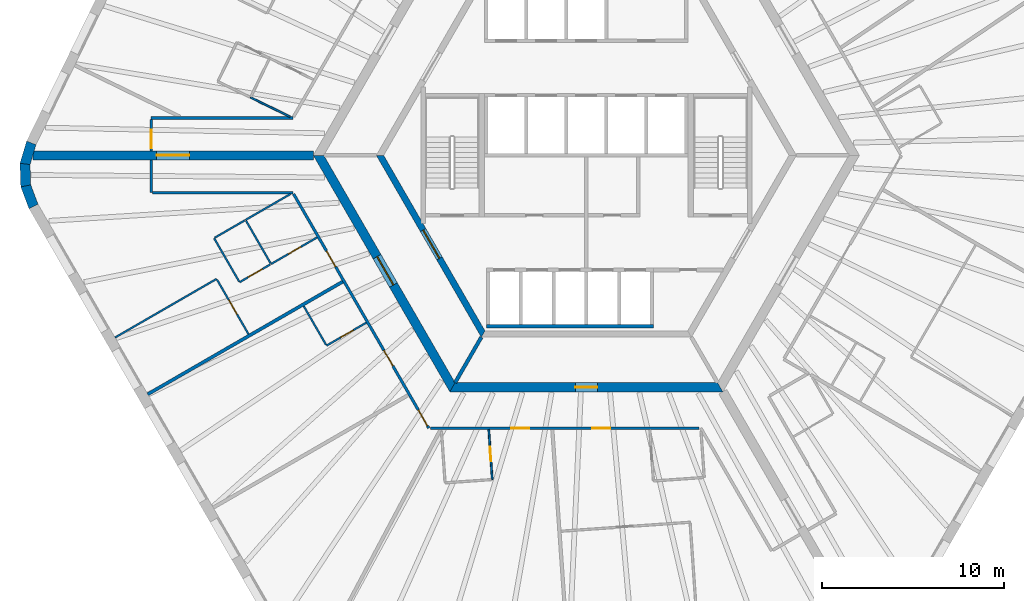
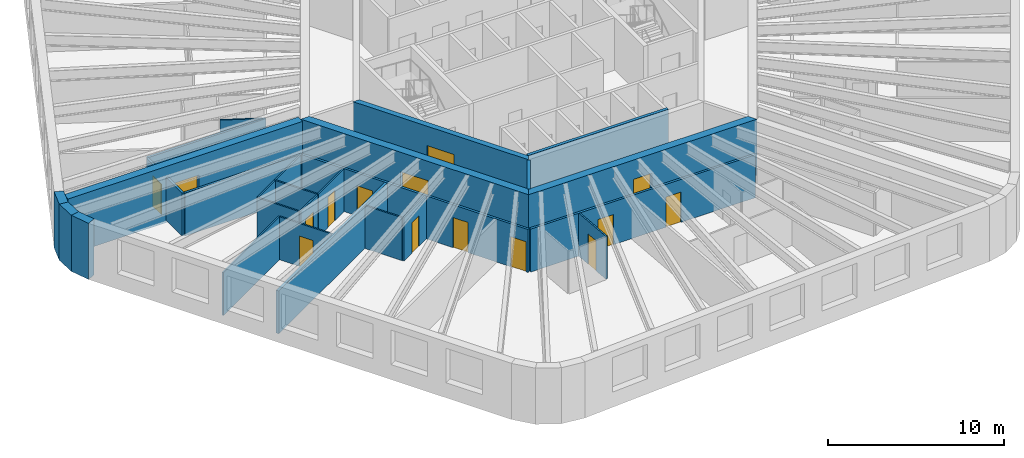
# One storey, part 3 of 10: 28 walls, 15 doors, 15 openings.
"""IFC4 building model written with IfcOpenShell, lengths in metres."""

from ifc_helpers import new_model, si_unit, direction, frame, frame_2d, origin, place, context, subcontext, project, spatial, polyline, rectangle, outline, extrude, material, layer, layer_set, type_object, element, fill, save


model = new_model("IFC4")

# Units and contexts
model_context = context("Model", 3, precision=1e-05, world=origin(), true_north=direction((0.0, 1.0)))
body_context = subcontext(model_context, "Body", "Model", "MODEL_VIEW")
ifc_project = project(units=[si_unit("LENGTHUNIT", "METRE"), si_unit("AREAUNIT", "SQUARE_METRE"), si_unit("VOLUMEUNIT", "CUBIC_METRE"), si_unit("PLANEANGLEUNIT", "RADIAN"), si_unit("MASSUNIT", "GRAM", prefix="KILO")], contexts=[model_context])

# Site, building, storey
site_placement = place(None, origin())
site = spatial("IfcSite", under=ifc_project, at=site_placement, CompositionType="ELEMENT")
building_placement = place(site_placement, origin())
building = spatial("IfcBuilding", under=site, at=building_placement, Name="Tarnside Tower", CompositionType="ELEMENT")
storey_placement = place(building_placement, frame((0.0, 0.0, 168.300048828125)))
storey = spatial("IfcBuildingStorey", under=building, at=storey_placement, Name="L39", CompositionType="ELEMENT", Elevation=168.300048828125)

# Walls
ifc_material_1 = material(Name="Gypsum board partition on steel studs", Category="steel")
ifc_layer_1 = layer(ifc_material_1, 0.10009765625)
ifc_layer_set_1 = layer_set([ifc_layer_1], Name="Bathroom wall 100")
wall_type_1 = type_object("IfcWallType", Name="Bathroom wall 100", PredefinedType="PARTITIONING", material=ifc_layer_set_1)
wall_1_placement = place(storey_placement, frame((-16.290771484375, 2.125, 0.0), z_axis=(0.0, 0.0, 1.0), x_axis=(-0.898785911157, 0.438387825909, 0.0)))
element("IfcWall", 1, at=wall_1_placement, inside=storey, type_object=wall_type_1, Name="Bathroom wall 12052", PredefinedType="PARTITIONING", context=body_context, shape_type="SweptSolid", body=[
    extrude(rectangle(XDim=2.41796875, YDim=0.10009765625, at=frame_2d((1.208984375, 0.0))), origin(), (0.0, 0.0, 1.0), 2.98779296875),
])
wall_2_placement = place(storey_placement, frame((-18.735107421875, -3.550048828125, 0.0), z_axis=(0.0, 0.0, 1.0), x_axis=(0.866025820012, 0.499999279071, 0.0)))
element("IfcWall", 2, at=wall_2_placement, inside=storey, type_object=wall_type_1, Name="Bathroom wall 12061", PredefinedType="PARTITIONING", context=body_context, shape_type="SweptSolid", body=[
    extrude(rectangle(XDim=2.85009765625, YDim=0.10009765625, at=frame_2d((1.425048828125, 0.0))), origin(), (0.0, 0.0, 1.0), 2.98779296875),
])

# Wall, opening, door
wall_3_placement = place(storey_placement, frame((-14.802001953125, -4.512451171875, 0.0), z_axis=(0.0, 0.0, 1.0), x_axis=(-0.866025730634, -0.499999433879, 0.0)))
wall_3 = element("IfcWall", 3, at=wall_3_placement, inside=storey, type_object=wall_type_1, Name="Bathroom wall 12062", PredefinedType="PARTITIONING", context=body_context, shape_type="SweptSolid", body=[
    extrude(rectangle(XDim=2.9248046875, YDim=0.10009765625, at=frame_2d((1.46240234375, 0.0))), origin(), (0.0, 0.0, 1.0), 2.98779296875),
])
opening_1_placement = place(wall_3_placement, frame((1.02490234375, 0.0, 0.0)))
opening_1 = element("IfcOpeningElement", 4, at=opening_1_placement, cuts=wall_3, Name="Opening D-B1", PredefinedType="OPENING", context=body_context, shape_type="SweptSolid", body=[
    extrude(rectangle(XDim=0.800048828125, YDim=2.10009765625, at=frame_2d((0.39990234375, 1.050048828125))), frame((0.0, 0.06005859375, 0.0), z_axis=(0.0, -1.0, 0.0), x_axis=(1.0, 0.0, 0.0)), (0.0, 0.0, 1.0), 0.1201171875),
])
ifc_material_2 = material(Name="Timber door leaf", Category="wood")
door_type_1 = type_object("IfcDoorType", Name="Bathroom door 800", OperationType="NOTDEFINED", PredefinedType="DOOR", material=ifc_material_2)
door_1_placement = place(opening_1_placement, origin())
door_1 = element("IfcDoor", 5, at=door_1_placement, inside=storey, type_object=door_type_1, Name="Bathroom door 12011", OperationType="SINGLE_SWING_RIGHT", OverallHeight=2.10009765625, OverallWidth=0.800048828125, PredefinedType="DOOR", context=body_context, shape_type="SweptSolid", body=[
    extrude(rectangle(XDim=0.800048828125, YDim=2.10009765625, at=frame_2d((0.39990234375, 1.050048828125))), frame((0.0, 0.02490234375, 0.0), z_axis=(0.0, -1.0, 0.0), x_axis=(1.0, 0.0, 0.0)), (0.0, 0.0, 1.0), 0.050048828125),
])
fill(opening_1, door_1)

# Wall
wall_4_placement = place(storey_placement, frame((-18.7099609375, -3.59326171875, 0.0), z_axis=(0.0, 0.0, 1.0), x_axis=(0.4999416173, -0.866059108428, 0.0)))
element("IfcWall", 6, at=wall_4_placement, inside=storey, type_object=wall_type_1, Name="Bathroom wall 12070", PredefinedType="PARTITIONING", context=body_context, shape_type="SweptSolid", body=[
    extrude(rectangle(XDim=2.699951171875, YDim=0.10009765625, at=frame_2d((1.35009765625, 0.0))), origin(), (0.0, 0.0, 1.0), 2.98779296875),
])

# Wall, opening, door
wall_5_placement = place(storey_placement, frame((-12.096435546875, -9.198486328125, 0.0), z_axis=(0.0, 0.0, 1.0), x_axis=(-0.866039067339, -0.499976333282, 0.0)))
wall_5 = element("IfcWall", 7, at=wall_5_placement, inside=storey, type_object=wall_type_1, Name="Bathroom wall 12072", PredefinedType="PARTITIONING", context=body_context, shape_type="SweptSolid", body=[
    extrude(rectangle(XDim=2.52490234375, YDim=0.10009765625, at=frame_2d((1.262451171875, 0.0))), origin(), (0.0, 0.0, 1.0), 2.98779296875),
])
opening_2_placement = place(wall_5_placement, frame((0.824951171875, 0.0, 0.0)))
opening_2 = element("IfcOpeningElement", 8, at=opening_2_placement, cuts=wall_5, Name="Opening D-B1", PredefinedType="OPENING", context=body_context, shape_type="SweptSolid", body=[
    extrude(rectangle(XDim=0.800048828125, YDim=2.10009765625, at=frame_2d((0.39990234375, 1.050048828125))), frame((0.0, 0.06005859375, 0.0), z_axis=(0.0, -1.0, 0.0), x_axis=(1.0, 0.0, 0.0)), (0.0, 0.0, 1.0), 0.1201171875),
])
door_2_placement = place(opening_2_placement, origin())
door_2 = element("IfcDoor", 9, at=door_2_placement, inside=storey, type_object=door_type_1, Name="Bathroom door 12015", OperationType="SINGLE_SWING_RIGHT", OverallHeight=2.10009765625, OverallWidth=0.800048828125, PredefinedType="DOOR", context=body_context, shape_type="SweptSolid", body=[
    extrude(rectangle(XDim=0.800048828125, YDim=2.10009765625, at=frame_2d((0.39990234375, 1.050048828125))), frame((0.0, 0.02490234375, 0.0), z_axis=(0.0, -1.0, 0.0), x_axis=(1.0, 0.0, 0.0)), (0.0, 0.0, 1.0), 0.050048828125),
])
fill(opening_2, door_2)

# Wall
wall_6_placement = place(storey_placement, frame((-14.30810546875, -10.417724609375, 0.0), z_axis=(0.0, 0.0, 1.0), x_axis=(-0.499960120811, 0.86604842682, 0.0)))
element("IfcWall", 10, at=wall_6_placement, inside=storey, type_object=wall_type_1, Name="Bathroom wall 12073", PredefinedType="PARTITIONING", context=body_context, shape_type="SweptSolid", body=[
    extrude(rectangle(XDim=2.460205078125, YDim=0.10009765625, at=frame_2d((1.22998046875, 0.0))), origin(), (0.0, 0.0, 1.0), 2.98779296875),
])

# Wall, opening, door
wall_7_placement = place(storey_placement, frame((-5.364013671875, -15.074951171875, 0.0), z_axis=(0.0, 0.0, 1.0), x_axis=(0.06972333312, -0.997566367125, 0.0)))
wall_7 = element("IfcWall", 11, at=wall_7_placement, inside=storey, type_object=wall_type_1, Name="Bathroom wall 12076", PredefinedType="PARTITIONING", context=body_context, shape_type="SweptSolid", body=[
    extrude(rectangle(XDim=2.755615234375, YDim=0.10009765625, at=frame_2d((1.3779296875, 0.0))), origin(), (0.0, 0.0, 1.0), 2.98779296875),
])
opening_3_placement = place(wall_7_placement, frame((0.955810546875, 0.0, 0.0)))
opening_3 = element("IfcOpeningElement", 12, at=opening_3_placement, cuts=wall_7, Name="Opening D-B1", PredefinedType="OPENING", context=body_context, shape_type="SweptSolid", body=[
    extrude(rectangle(XDim=0.800048828125, YDim=2.10009765625, at=frame_2d((0.39990234375, 1.050048828125))), frame((0.0, 0.06005859375, 0.0), z_axis=(0.0, -1.0, 0.0), x_axis=(1.0, 0.0, 0.0)), (0.0, 0.0, 1.0), 0.1201171875),
])
door_3_placement = place(opening_3_placement, origin())
door_3 = element("IfcDoor", 13, at=door_3_placement, inside=storey, type_object=door_type_1, Name="Bathroom door 12018", OperationType="SINGLE_SWING_LEFT", OverallHeight=2.10009765625, OverallWidth=0.800048828125, PredefinedType="DOOR", context=body_context, shape_type="SweptSolid", body=[
    extrude(rectangle(XDim=0.800048828125, YDim=2.10009765625, at=frame_2d((0.39990234375, 1.050048828125))), frame((0.0, 0.02490234375, 0.0), z_axis=(0.0, -1.0, 0.0), x_axis=(1.0, 0.0, 0.0)), (0.0, 0.0, 1.0), 0.050048828125),
])
fill(opening_3, door_3)

ifc_material_3 = material(Name="Concrete C50/60", Category="concrete")
ifc_layer_2 = layer(ifc_material_3, 0.35009765625)
ifc_layer_set_2 = layer_set([ifc_layer_2], Name="Core block wall 350 C50/60")
wall_type_2 = type_object("IfcWallType", Name="Core block wall 350 C50/60", PredefinedType="SHEAR", material=ifc_layer_set_2)
wall_8_placement = place(storey_placement, frame((-11.344970703125, 0.0, -0.150146484375), z_axis=(0.0, 0.0, 1.0), x_axis=(0.499995046907, -0.866028263435, 0.0)))
wall_8 = element("IfcWall", 14, at=wall_8_placement, inside=storey, type_object=wall_type_2, Name="L39 core block wall face 3", PredefinedType="SHEAR", context=body_context, shape_type="SweptSolid", body=[
    extrude(outline(polyline([(-0.10107421875, -0.175048828125), (11.44580078125, -0.175048828125), (11.24365234375, 0.175048828125), (0.10107421875, 0.175048828125), (-0.10107421875, -0.175048828125)])), origin(), (0.0, 0.0, 1.0), 3.900146484375),
])
opening_4_placement = place(wall_8_placement, frame((4.74365234375, 0.0, 0.14990234375)))
opening_4 = element("IfcOpeningElement", 15, at=opening_4_placement, cuts=wall_8, Name="Opening CD-FFL", PredefinedType="OPENING", context=body_context, shape_type="SweptSolid", body=[
    extrude(rectangle(XDim=1.800048828125, YDim=2.39990234375, at=frame_2d((0.89990234375, 1.199951171875))), frame((0.0, 0.18505859375, 0.0), z_axis=(0.0, -1.0, 0.0), x_axis=(1.0, 0.0, 0.0)), (0.0, 0.0, 1.0), 0.3701171875),
])
ifc_material_4 = material(Name="Steel fire door", Category="steel")
door_type_2 = type_object("IfcDoorType", Name="Firefighting lobby double door FD60S 1800x2400", OperationType="NOTDEFINED", PredefinedType="DOOR", material=ifc_material_4)
door_4_placement = place(opening_4_placement, origin())
door_4 = element("IfcDoor", 16, at=door_4_placement, inside=storey, type_object=door_type_2, Name="L39 lobby block door P3", OperationType="DOUBLE_DOOR_SINGLE_SWING", OverallHeight=2.39990234375, OverallWidth=1.800048828125, PredefinedType="DOOR", context=body_context, shape_type="SweptSolid", body=[
    extrude(rectangle(XDim=1.800048828125, YDim=2.39990234375, at=frame_2d((0.89990234375, 1.199951171875))), frame((0.0, 0.02490234375, 0.0), z_axis=(0.0, -1.0, 0.0), x_axis=(1.0, 0.0, 0.0)), (0.0, 0.0, 1.0), 0.050048828125),
])
fill(opening_4, door_4)

ifc_material_5 = material(Name="Concrete C70/85", Category="concrete")
ifc_layer_3 = layer(ifc_material_5, 0.5)
ifc_layer_set_3 = layer_set([ifc_layer_3], Name="Core wall Z2 500 C70/85")
wall_type_3 = type_object("IfcWallType", Name="Core wall Z2 500 C70/85", PredefinedType="SHEAR", material=ifc_layer_set_3)
wall_9_placement = place(storey_placement, frame((-14.722412109375, 0.0, -0.150146484375), z_axis=(0.0, 0.0, 1.0), x_axis=(0.50000571537, -0.866022103989, 0.0)))
wall_9 = element("IfcWall", 17, at=wall_9_placement, inside=storey, type_object=wall_type_3, Name="L39 core wall face 3", PredefinedType="SHEAR", context=body_context, shape_type="SweptSolid", body=[
    extrude(outline(polyline([(-0.144287109375, -0.25), (14.86669921875, -0.25), (14.578125, 0.25), (0.144287109375, 0.25), (-0.144287109375, -0.25)])), origin(), (0.0, 0.0, 1.0), 3.900146484375),
])
opening_5_placement = place(wall_9_placement, frame((6.432373046875, 0.0, 0.14990234375)))
opening_5 = element("IfcOpeningElement", 18, at=opening_5_placement, cuts=wall_9, Name="Opening CD-FFL", PredefinedType="OPENING", context=body_context, shape_type="SweptSolid", body=[
    extrude(rectangle(XDim=1.800048828125, YDim=2.39990234375, at=frame_2d((0.89990234375, 1.199951171875))), frame((0.0, 0.260009765625, 0.0), z_axis=(0.0, -1.0, 0.0), x_axis=(1.0, 0.0, 0.0)), (0.0, 0.0, 1.0), 0.52001953125),
])
door_5_placement = place(opening_5_placement, origin())
door_5 = element("IfcDoor", 19, at=door_5_placement, inside=storey, type_object=door_type_2, Name="L39 core door P3", OperationType="DOUBLE_DOOR_SINGLE_SWING", OverallHeight=2.39990234375, OverallWidth=1.800048828125, PredefinedType="DOOR", context=body_context, shape_type="SweptSolid", body=[
    extrude(rectangle(XDim=1.800048828125, YDim=2.39990234375, at=frame_2d((0.89990234375, 1.199951171875))), frame((0.0, 0.02490234375, 0.0), z_axis=(0.0, -1.0, 0.0), x_axis=(1.0, 0.0, 0.0)), (0.0, 0.0, 1.0), 0.050048828125),
])
fill(opening_5, door_5)

wall_10_placement = place(storey_placement, frame((-7.361083984375, -12.75, -0.150146484375), z_axis=(0.0, 0.0, 1.0), x_axis=(1.0, 0.0, 0.0)))
wall_10 = element("IfcWall", 20, at=wall_10_placement, inside=storey, type_object=wall_type_3, Name="L39 core wall face 4", PredefinedType="SHEAR", context=body_context, shape_type="SweptSolid", body=[
    extrude(outline(polyline([(-0.144287109375, -0.25), (14.866455078125, -0.25), (14.577880859375, 0.25), (0.144287109375, 0.25), (-0.144287109375, -0.25)])), origin(), (0.0, 0.0, 1.0), 3.900146484375),
])
opening_6_placement = place(wall_10_placement, frame((6.76123046875, 0.0, 0.14990234375)))
opening_6 = element("IfcOpeningElement", 21, at=opening_6_placement, cuts=wall_10, Name="Opening CD-RSR", PredefinedType="OPENING", context=body_context, shape_type="SweptSolid", body=[
    extrude(rectangle(XDim=1.199951171875, YDim=2.39990234375, at=frame_2d((0.60009765625, 1.199951171875))), frame((0.0, 0.260009765625, 0.0), z_axis=(0.0, -1.0, 0.0), x_axis=(1.0, 0.0, 0.0)), (0.0, 0.0, 1.0), 0.52001953125),
])
door_type_3 = type_object("IfcDoorType", Name="Riser door FD60 1200x2400", OperationType="NOTDEFINED", PredefinedType="DOOR", material=ifc_material_4)
door_6_placement = place(opening_6_placement, origin())
door_6 = element("IfcDoor", 22, at=door_6_placement, inside=storey, type_object=door_type_3, Name="L39 core door S6", OperationType="SINGLE_SWING_LEFT", OverallHeight=2.39990234375, OverallWidth=1.199951171875, PredefinedType="DOOR", context=body_context, shape_type="SweptSolid", body=[
    extrude(rectangle(XDim=1.199951171875, YDim=2.39990234375, at=frame_2d((0.60009765625, 1.199951171875))), frame((0.0, 0.02490234375, 0.0), z_axis=(0.0, -1.0, 0.0), x_axis=(1.0, 0.0, 0.0)), (0.0, 0.0, 1.0), 0.050048828125),
])
fill(opening_6, door_6)

wall_11_placement = place(storey_placement, frame((-15.010986328125, 0.0, -0.150146484375), z_axis=(0.0, 0.0, 1.0), x_axis=(-1.0, 0.0, 0.0)))
wall_11 = element("IfcWall", 23, at=wall_11_placement, inside=storey, type_object=wall_type_3, Name="L39 spine wall 2", PredefinedType="SHEAR", context=body_context, shape_type="SweptSolid", body=[
    extrude(rectangle(XDim=15.423828125, YDim=0.5, at=frame_2d((7.7119140625, 0.0))), origin(), (0.0, 0.0, 1.0), 3.900146484375),
])
opening_7_placement = place(wall_11_placement, frame((6.811767578125, 0.0, 0.14990234375)))
opening_7 = element("IfcOpeningElement", 24, at=opening_7_placement, cuts=wall_11, Name="Opening CD-SPN", PredefinedType="OPENING", context=body_context, shape_type="SweptSolid", body=[
    extrude(rectangle(XDim=1.800048828125, YDim=2.39990234375, at=frame_2d((0.89990234375, 1.199951171875))), frame((0.0, 0.260009765625, 0.0), z_axis=(0.0, -1.0, 0.0), x_axis=(1.0, 0.0, 0.0)), (0.0, 0.0, 1.0), 0.52001953125),
])
door_type_4 = type_object("IfcDoorType", Name="Spine passage double door FD60 1800x2400", OperationType="NOTDEFINED", PredefinedType="DOOR", material=ifc_material_4)
door_7_placement = place(opening_7_placement, origin())
door_7 = element("IfcDoor", 25, at=door_7_placement, inside=storey, type_object=door_type_4, Name="L39 spine passage door 2", OperationType="DOUBLE_DOOR_SINGLE_SWING", OverallHeight=2.39990234375, OverallWidth=1.800048828125, PredefinedType="DOOR", context=body_context, shape_type="SweptSolid", body=[
    extrude(rectangle(XDim=1.800048828125, YDim=2.39990234375, at=frame_2d((0.89990234375, 1.199951171875))), frame((0.0, 0.02490234375, 0.0), z_axis=(0.0, -1.0, 0.0), x_axis=(1.0, 0.0, 0.0)), (0.0, 0.0, 1.0), 0.050048828125),
])
fill(opening_7, door_7)

# Wall
ifc_layer_4 = layer(ifc_material_1, 0.14990234375)
ifc_layer_set_4 = layer_set([ifc_layer_4], Name="Corridor wall 150 EI 60")
wall_type_4 = type_object("IfcWallType", Name="Corridor wall 150 EI 60", PredefinedType="PARTITIONING", material=ifc_layer_set_4)
wall_12_placement = place(storey_placement, frame((-16.136962890625, 2.050048828125, 0.0), z_axis=(0.0, 0.0, 1.0), x_axis=(-1.0, 0.0, 0.0)))
element("IfcWall", 26, at=wall_12_placement, inside=storey, type_object=wall_type_4, Name="Corridor wall 12009", PredefinedType="PARTITIONING", context=body_context, shape_type="SweptSolid", body=[
    extrude(rectangle(XDim=7.785888671875, YDim=0.14990234375, at=frame_2d((3.89306640625, 0.0))), origin(), (0.0, 0.0, 1.0), 2.98779296875),
])

# Wall, opening, door
wall_13_placement = place(storey_placement, frame((-23.9228515625, 1.97509765625, 0.0), z_axis=(0.0, 0.0, 1.0), x_axis=(0.0, -1.0, 0.0)))
wall_13 = element("IfcWall", 27, at=wall_13_placement, inside=storey, type_object=wall_type_4, Name="Corridor wall 12013", PredefinedType="PARTITIONING", context=body_context, shape_type="SweptSolid", body=[
    extrude(rectangle(XDim=1.72509765625, YDim=0.14990234375, at=frame_2d((0.862548828125, 0.0))), origin(), (0.0, 0.0, 1.0), 2.98779296875),
])
opening_8_placement = place(wall_13_placement, frame((0.574951171875, 0.0, 0.0)))
opening_8 = element("IfcOpeningElement", 28, at=opening_8_placement, cuts=wall_13, Name="Opening D-E1", PredefinedType="OPENING", context=body_context, shape_type="SweptSolid", body=[
    extrude(rectangle(XDim=1.0, YDim=2.10009765625, at=frame_2d((0.5, 1.050048828125))), frame((0.0, 0.0849609375, 0.0), z_axis=(0.0, -1.0, 0.0), x_axis=(1.0, 0.0, 0.0)), (0.0, 0.0, 1.0), 0.169921875),
])
door_type_5 = type_object("IfcDoorType", Name="Unit entrance door 1000 FD30S", OperationType="NOTDEFINED", PredefinedType="DOOR", material=ifc_material_2)
door_8_placement = place(opening_8_placement, origin())
door_8 = element("IfcDoor", 29, at=door_8_placement, inside=storey, type_object=door_type_5, Name="Unit door 12009", OperationType="SINGLE_SWING_LEFT", OverallHeight=2.10009765625, OverallWidth=1.0, PredefinedType="DOOR", context=body_context, shape_type="SweptSolid", body=[
    extrude(rectangle(XDim=1.0, YDim=2.10009765625, at=frame_2d((0.5, 1.050048828125))), frame((0.0, 0.02490234375, 0.0), z_axis=(0.0, -1.0, 0.0), x_axis=(1.0, 0.0, 0.0)), (0.0, 0.0, 1.0), 0.050048828125),
])
fill(opening_8, door_8)

# Walls
wall_14_placement = place(storey_placement, frame((-23.9228515625, -0.25, 0.0), z_axis=(0.0, 0.0, 1.0), x_axis=(0.0, -1.0, 0.0)))
element("IfcWall", 30, at=wall_14_placement, inside=storey, type_object=wall_type_4, Name="Corridor wall 12014", PredefinedType="PARTITIONING", context=body_context, shape_type="SweptSolid", body=[
    extrude(rectangle(XDim=1.800048828125, YDim=0.14990234375, at=frame_2d((0.89990234375, 0.0))), origin(), (0.0, 0.0, 1.0), 2.98779296875),
])
wall_15_placement = place(storey_placement, frame((-23.847900390625, -2.050048828125, 0.0), z_axis=(0.0, 0.0, 1.0), x_axis=(1.0, 0.0, 0.0)))
element("IfcWall", 31, at=wall_15_placement, inside=storey, type_object=wall_type_4, Name="Corridor wall 12015", PredefinedType="PARTITIONING", context=body_context, shape_type="SweptSolid", body=[
    extrude(rectangle(XDim=7.7109375, YDim=0.14990234375, at=frame_2d((3.85546875, 0.0))), origin(), (0.0, 0.0, 1.0), 2.98779296875),
])

# Wall, openings, doors
wall_16_placement = place(storey_placement, frame((-16.09375, -2.125, 0.0), z_axis=(0.0, 0.0, 1.0), x_axis=(0.500010545262, -0.866019315389, 0.0)))
wall_16 = element("IfcWall", 32, at=wall_16_placement, inside=storey, type_object=wall_type_4, Name="Corridor wall 12016", PredefinedType="PARTITIONING", context=body_context, shape_type="SweptSolid", body=[
    extrude(rectangle(XDim=14.866943359375, YDim=0.14990234375, at=frame_2d((7.43359375, 0.0))), origin(), (0.0, 0.0, 1.0), 2.98779296875),
])
opening_9_placement = place(wall_16_placement, frame((3.618896484375, 0.0, 0.0)))
opening_9 = element("IfcOpeningElement", 33, at=opening_9_placement, cuts=wall_16, Name="Opening D-E1", PredefinedType="OPENING", context=body_context, shape_type="SweptSolid", body=[
    extrude(rectangle(XDim=1.0, YDim=2.10009765625, at=frame_2d((0.5, 1.050048828125))), frame((0.0, 0.0849609375, 0.0), z_axis=(0.0, -1.0, 0.0), x_axis=(1.0, 0.0, 0.0)), (0.0, 0.0, 1.0), 0.169921875),
])
opening_10_placement = place(wall_16_placement, frame((9.92431640625, 0.0, 0.0)))
opening_10 = element("IfcOpeningElement", 34, at=opening_10_placement, cuts=wall_16, Name="Opening D-E1", PredefinedType="OPENING", context=body_context, shape_type="SweptSolid", body=[
    extrude(rectangle(XDim=1.0, YDim=2.10009765625, at=frame_2d((0.5, 1.050048828125))), frame((0.0, 0.0849609375, 0.0), z_axis=(0.0, -1.0, 0.0), x_axis=(1.0, 0.0, 0.0)), (0.0, 0.0, 1.0), 0.169921875),
])
opening_11_placement = place(wall_16_placement, frame((13.716796875, 0.0, 0.0)))
opening_11 = element("IfcOpeningElement", 35, at=opening_11_placement, cuts=wall_16, Name="Opening D-E1", PredefinedType="OPENING", context=body_context, shape_type="SweptSolid", body=[
    extrude(rectangle(XDim=1.0, YDim=2.10009765625, at=frame_2d((0.5, 1.050048828125))), frame((0.0, 0.0849609375, 0.0), z_axis=(0.0, -1.0, 0.0), x_axis=(1.0, 0.0, 0.0)), (0.0, 0.0, 1.0), 0.169921875),
])
door_9_placement = place(opening_9_placement, origin())
door_9 = element("IfcDoor", 36, at=door_9_placement, inside=storey, type_object=door_type_5, Name="Unit door 12010", OperationType="SINGLE_SWING_RIGHT", OverallHeight=2.10009765625, OverallWidth=1.0, PredefinedType="DOOR", context=body_context, shape_type="SweptSolid", body=[
    extrude(rectangle(XDim=1.0, YDim=2.10009765625, at=frame_2d((0.5, 1.050048828125))), frame((0.0, 0.02490234375, 0.0), z_axis=(0.0, -1.0, 0.0), x_axis=(1.0, 0.0, 0.0)), (0.0, 0.0, 1.0), 0.050048828125),
])
fill(opening_9, door_9)
door_10_placement = place(opening_10_placement, origin())
door_10 = element("IfcDoor", 37, at=door_10_placement, inside=storey, type_object=door_type_5, Name="Unit door 12014", OperationType="SINGLE_SWING_RIGHT", OverallHeight=2.10009765625, OverallWidth=1.0, PredefinedType="DOOR", context=body_context, shape_type="SweptSolid", body=[
    extrude(rectangle(XDim=1.0, YDim=2.10009765625, at=frame_2d((0.5, 1.050048828125))), frame((0.0, 0.02490234375, 0.0), z_axis=(0.0, -1.0, 0.0), x_axis=(1.0, 0.0, 0.0)), (0.0, 0.0, 1.0), 0.050048828125),
])
fill(opening_10, door_10)
door_11_placement = place(opening_11_placement, origin())
door_11 = element("IfcDoor", 38, at=door_11_placement, inside=storey, type_object=door_type_5, Name="Unit door 12016", OperationType="SINGLE_SWING_LEFT", OverallHeight=2.10009765625, OverallWidth=1.0, PredefinedType="DOOR", context=body_context, shape_type="SweptSolid", body=[
    extrude(rectangle(XDim=1.0, YDim=2.10009765625, at=frame_2d((0.5, 1.050048828125))), frame((0.0, 0.02490234375, 0.0), z_axis=(0.0, -1.0, 0.0), x_axis=(1.0, 0.0, 0.0)), (0.0, 0.0, 1.0), 0.050048828125),
])
fill(opening_11, door_11)

wall_17_placement = place(storey_placement, frame((-8.57373046875, -15.0, 0.0), z_axis=(0.0, 0.0, 1.0), x_axis=(1.0, 0.0, 0.0)))
wall_17 = element("IfcWall", 39, at=wall_17_placement, inside=storey, type_object=wall_type_4, Name="Corridor wall 12021", PredefinedType="PARTITIONING", context=body_context, shape_type="SweptSolid", body=[
    extrude(rectangle(XDim=14.7802734375, YDim=0.14990234375, at=frame_2d((7.39013671875, 0.0))), origin(), (0.0, 0.0, 1.0), 2.98779296875),
])
opening_12_placement = place(wall_17_placement, frame((4.444580078125, 0.0, 0.0)))
opening_12 = element("IfcOpeningElement", 40, at=opening_12_placement, cuts=wall_17, Name="Opening D-E1", PredefinedType="OPENING", context=body_context, shape_type="SweptSolid", body=[
    extrude(rectangle(XDim=1.0, YDim=2.10009765625, at=frame_2d((0.5, 1.050048828125))), frame((0.0, 0.0849609375, 0.0), z_axis=(0.0, -1.0, 0.0), x_axis=(1.0, 0.0, 0.0)), (0.0, 0.0, 1.0), 0.169921875),
])
opening_13_placement = place(wall_17_placement, frame((8.885498046875, 0.0, 0.0)))
opening_13 = element("IfcOpeningElement", 41, at=opening_13_placement, cuts=wall_17, Name="Opening D-E1", PredefinedType="OPENING", context=body_context, shape_type="SweptSolid", body=[
    extrude(rectangle(XDim=1.0, YDim=2.10009765625, at=frame_2d((0.5, 1.050048828125))), frame((0.0, 0.0849609375, 0.0), z_axis=(0.0, -1.0, 0.0), x_axis=(1.0, 0.0, 0.0)), (0.0, 0.0, 1.0), 0.169921875),
])
door_12_placement = place(opening_12_placement, origin())
door_12 = element("IfcDoor", 42, at=door_12_placement, inside=storey, type_object=door_type_5, Name="Unit door 12017", OperationType="SINGLE_SWING_LEFT", OverallHeight=2.10009765625, OverallWidth=1.0, PredefinedType="DOOR", context=body_context, shape_type="SweptSolid", body=[
    extrude(rectangle(XDim=1.0, YDim=2.10009765625, at=frame_2d((0.5, 1.050048828125))), frame((0.0, 0.02490234375, 0.0), z_axis=(0.0, -1.0, 0.0), x_axis=(1.0, 0.0, 0.0)), (0.0, 0.0, 1.0), 0.050048828125),
])
fill(opening_12, door_12)
door_13_placement = place(opening_13_placement, origin())
door_13 = element("IfcDoor", 43, at=door_13_placement, inside=storey, type_object=door_type_5, Name="Unit door 12019", OperationType="SINGLE_SWING_RIGHT", OverallHeight=2.10009765625, OverallWidth=1.0, PredefinedType="DOOR", context=body_context, shape_type="SweptSolid", body=[
    extrude(rectangle(XDim=1.0, YDim=2.10009765625, at=frame_2d((0.5, 1.050048828125))), frame((0.0, 0.02490234375, 0.0), z_axis=(0.0, -1.0, 0.0), x_axis=(1.0, 0.0, 0.0)), (0.0, 0.0, 1.0), 0.050048828125),
])
fill(opening_13, door_13)

# Walls
ifc_layer_5 = layer(ifc_material_1, 0.179931640625)
ifc_layer_set_5 = layer_set([ifc_layer_5], Name="Demising wall 180 EI 60")
wall_type_5 = type_object("IfcWallType", Name="Demising wall 180 EI 60", PredefinedType="PARTITIONING", material=ifc_layer_set_5)
wall_18_placement = place(storey_placement, frame((-24.113525390625, -13.13427734375, 0.0), z_axis=(0.0, 0.0, 1.0), x_axis=(0.866024931941, 0.500000817256, 0.0)))
element("IfcWall", 44, at=wall_18_placement, inside=storey, type_object=wall_type_5, Name="Demising wall 12068", PredefinedType="PARTITIONING", context=body_context, shape_type="SweptSolid", body=[
    extrude(rectangle(XDim=12.375, YDim=0.179931640625, at=frame_2d((6.1875, 0.0))), origin(), (0.0, 0.0, 1.0), 2.98779296875),
])
ifc_material_6 = material(Name="Concrete C40/50", Category="concrete")
ifc_layer_6 = layer(ifc_material_6, 0.199951171875)
ifc_layer_set_6 = layer_set([ifc_layer_6], Name="Lift shaft wall 200 C40/50")
wall_type_6 = type_object("IfcWallType", Name="Lift shaft wall 200 C40/50", PredefinedType="SHEAR", material=ifc_layer_set_6)
wall_19_placement = place(storey_placement, frame((-5.5, -9.39990234375, -0.25), z_axis=(0.0, 0.0, 1.0), x_axis=(1.0, 0.0, 0.0)))
element("IfcWall", 45, at=wall_19_placement, inside=storey, type_object=wall_type_6, Name="L39 lift shaft back wall R4", PredefinedType="SHEAR", context=body_context, shape_type="SweptSolid", body=[
    extrude(rectangle(XDim=9.199951171875, YDim=0.199951171875, at=frame_2d((4.60009765625, 0.0))), origin(), (0.0, 0.0, 1.0), 3.89990234375),
])
wall_20_placement = place(storey_placement, frame((-5.7734375, -10.0, -0.150146484375), z_axis=(0.0, 0.0, 1.0), x_axis=(-0.499995765644, -0.866027848477, 0.0)))
element("IfcWall", 46, at=wall_20_placement, inside=storey, type_object=wall_type_6, Name="L39 core partition AR240", PredefinedType="SHEAR", context=body_context, shape_type="SweptSolid", body=[
    extrude(rectangle(XDim=2.88671875, YDim=0.199951171875, at=frame_2d((1.443359375, 0.0))), origin(), (0.0, 0.0, 1.0), 3.900146484375),
])

# Wall, opening, door
ifc_layer_7 = layer(ifc_material_1, 0.10009765625)
ifc_layer_set_7 = layer_set([ifc_layer_7], Name="Partition 100")
wall_type_7 = type_object("IfcWallType", Name="Partition 100", PredefinedType="PARTITIONING", material=ifc_layer_set_7)
wall_21_placement = place(storey_placement, frame((-17.37841796875, -5.999755859375, 0.0), z_axis=(0.0, 0.0, 1.0), x_axis=(-0.866000020948, -0.500043961785, 0.0)))
wall_21 = element("IfcWall", 47, at=wall_21_placement, inside=storey, type_object=wall_type_7, Name="Partition wall 12063", PredefinedType="PARTITIONING", context=body_context, shape_type="SweptSolid", body=[
    extrude(rectangle(XDim=1.949951171875, YDim=0.10009765625, at=frame_2d((0.97509765625, 0.0))), origin(), (0.0, 0.0, 1.0), 2.98779296875),
])
opening_14_placement = place(wall_21_placement, frame((0.5, 0.0, 0.0)))
opening_14 = element("IfcOpeningElement", 48, at=opening_14_placement, cuts=wall_21, Name="Opening D-I1", PredefinedType="OPENING", context=body_context, shape_type="SweptSolid", body=[
    extrude(rectangle(XDim=0.89990234375, YDim=2.10009765625, at=frame_2d((0.449951171875, 1.050048828125))), frame((0.0, 0.06005859375, 0.0), z_axis=(0.0, -1.0, 0.0), x_axis=(1.0, 0.0, 0.0)), (0.0, 0.0, 1.0), 0.1201171875),
])
door_type_6 = type_object("IfcDoorType", Name="Internal door 900", OperationType="NOTDEFINED", PredefinedType="DOOR", material=ifc_material_2)
door_14_placement = place(opening_14_placement, origin())
door_14 = element("IfcDoor", 49, at=door_14_placement, inside=storey, type_object=door_type_6, Name="Internal door 12012", OperationType="SINGLE_SWING_RIGHT", OverallHeight=2.10009765625, OverallWidth=0.89990234375, PredefinedType="DOOR", context=body_context, shape_type="SweptSolid", body=[
    extrude(rectangle(XDim=0.89990234375, YDim=2.10009765625, at=frame_2d((0.449951171875, 1.050048828125))), frame((0.0, 0.02490234375, 0.0), z_axis=(0.0, -1.0, 0.0), x_axis=(1.0, 0.0, 0.0)), (0.0, 0.0, 1.0), 0.050048828125),
])
fill(opening_14, door_14)

# Walls
wall_22_placement = place(storey_placement, frame((-19.092041015625, -6.931640625, 0.0), z_axis=(0.0, 0.0, 1.0), x_axis=(-0.499996545922, 0.866027397988, 0.0)))
element("IfcWall", 50, at=wall_22_placement, inside=storey, type_object=wall_type_7, Name="Partition wall 12064", PredefinedType="PARTITIONING", context=body_context, shape_type="SweptSolid", body=[
    extrude(rectangle(XDim=2.75, YDim=0.10009765625, at=frame_2d((1.375, 0.0))), origin(), (0.0, 0.0, 1.0), 2.98779296875),
])
wall_23_placement = place(storey_placement, frame((-20.423828125, -4.52490234375, 0.0), z_axis=(0.0, 0.0, 1.0), x_axis=(0.866044365799, 0.499967155389, 0.0)))
element("IfcWall", 51, at=wall_23_placement, inside=storey, type_object=wall_type_7, Name="Partition wall 12065", PredefinedType="PARTITIONING", context=body_context, shape_type="SweptSolid", body=[
    extrude(rectangle(XDim=1.900146484375, YDim=0.10009765625, at=frame_2d((0.9501953125, 0.0))), origin(), (0.0, 0.0, 1.0), 2.98779296875),
])
wall_24_placement = place(storey_placement, frame((-25.91357421875, -10.0166015625, 0.0), z_axis=(0.0, 0.0, 1.0), x_axis=(0.866021702275, 0.500006411147, 0.0)))
element("IfcWall", 52, at=wall_24_placement, inside=storey, type_object=wall_type_7, Name="Partition wall 12066", PredefinedType="PARTITIONING", context=body_context, shape_type="SweptSolid", body=[
    extrude(rectangle(XDim=6.4501953125, YDim=0.10009765625, at=frame_2d((3.22509765625, 0.0))), origin(), (0.0, 0.0, 1.0), 2.98779296875),
])

# Wall, opening, door
wall_25_placement = place(storey_placement, frame((-20.302490234375, -6.8349609375, 0.0), z_axis=(0.0, 0.0, 1.0), x_axis=(0.500009533716, -0.866019899421, 0.0)))
wall_25 = element("IfcWall", 53, at=wall_25_placement, inside=storey, type_object=wall_type_7, Name="Partition wall 12067", PredefinedType="PARTITIONING", context=body_context, shape_type="SweptSolid", body=[
    extrude(rectangle(XDim=3.4599609375, YDim=0.10009765625, at=frame_2d((1.72998046875, 0.0))), origin(), (0.0, 0.0, 1.0), 2.98779296875),
])
opening_15_placement = place(wall_25_placement, frame((1.300048828125, 0.0, 0.0)))
opening_15 = element("IfcOpeningElement", 54, at=opening_15_placement, cuts=wall_25, Name="Opening D-I1", PredefinedType="OPENING", context=body_context, shape_type="SweptSolid", body=[
    extrude(rectangle(XDim=0.89990234375, YDim=2.10009765625, at=frame_2d((0.449951171875, 1.050048828125))), frame((0.0, 0.06005859375, 0.0), z_axis=(0.0, -1.0, 0.0), x_axis=(1.0, 0.0, 0.0)), (0.0, 0.0, 1.0), 0.1201171875),
])
door_15_placement = place(opening_15_placement, origin())
door_15 = element("IfcDoor", 55, at=door_15_placement, inside=storey, type_object=door_type_6, Name="Internal door 12013", OperationType="SINGLE_SWING_RIGHT", OverallHeight=2.10009765625, OverallWidth=0.89990234375, PredefinedType="DOOR", context=body_context, shape_type="SweptSolid", body=[
    extrude(rectangle(XDim=0.89990234375, YDim=2.10009765625, at=frame_2d((0.449951171875, 1.050048828125))), frame((0.0, 0.02490234375, 0.0), z_axis=(0.0, -1.0, 0.0), x_axis=(1.0, 0.0, 0.0)), (0.0, 0.0, 1.0), 0.050048828125),
])
fill(opening_15, door_15)

# Walls
ifc_material_7 = material(Name="Facing brick", Category="masonry")
ifc_layer_8 = layer(ifc_material_7, 0.10205078125)
ifc_material_8 = material(Name="Concrete C60/75 precast", Category="concrete")
ifc_layer_9 = layer(ifc_material_8, 0.347900390625)
ifc_material_9 = material(Name="Mineral wool insulation")
ifc_layer_10 = layer(ifc_material_9, 0.10009765625)
ifc_layer_set_8 = layer_set([ifc_layer_8, ifc_layer_9, ifc_layer_10], Name="Tube wall 550 brick faced")
wall_type_8 = type_object("IfcWallType", Name="Tube wall 550 brick faced", PredefinedType="SOLIDWALL", material=ifc_layer_set_8)
wall_26_placement = place(storey_placement, frame((-30.51318359375, 0.684326171875, -0.150146484375), z_axis=(0.0, 0.0, 1.0), x_axis=(-0.286736058109, -0.958009620505, 0.0)))
element("IfcWall", 56, at=wall_26_placement, inside=storey, type_object=wall_type_8, Name="Tube wall L39 F2 chord 05", PredefinedType="SOLIDWALL", context=body_context, shape_type="SweptSolid", body=[
    extrude(outline(polyline([(-0.0224609375, -0.27490234375), (1.25341796875, -0.27490234375), (1.1630859375, 0.27490234375), (0.0224609375, 0.27490234375), (-0.0224609375, -0.27490234375)])), origin(), (0.0, 0.0, 1.0), 3.900146484375),
])
wall_27_placement = place(storey_placement, frame((-30.859619140625, -0.47314453125, -0.150146484375), z_axis=(0.0, 0.0, 1.0), x_axis=(0.03495638276, -0.999388838893, 0.0)))
element("IfcWall", 57, at=wall_27_placement, inside=storey, type_object=wall_type_8, Name="Tube wall L39 F2 chord 06", PredefinedType="SOLIDWALL", context=body_context, shape_type="SweptSolid", body=[
    extrude(outline(polyline([(-0.045166015625, -0.27490234375), (1.25341796875, -0.27490234375), (1.1630859375, 0.27490234375), (0.045166015625, 0.27490234375), (-0.045166015625, -0.27490234375)])), origin(), (0.0, 0.0, 1.0), 3.900146484375),
])
wall_28_placement = place(storey_placement, frame((-30.8173828125, -1.6806640625, -0.150146484375), z_axis=(0.0, 0.0, 1.0), x_axis=(0.352850303963, -0.935679786569, 0.0)))
element("IfcWall", 58, at=wall_28_placement, inside=storey, type_object=wall_type_8, Name="Tube wall L39 F2 chord 07", PredefinedType="SOLIDWALL", context=body_context, shape_type="SweptSolid", body=[
    extrude(outline(polyline([(-0.045166015625, -0.27490234375), (1.23046875, -0.27490234375), (1.185546875, 0.27490234375), (0.045166015625, 0.27490234375), (-0.045166015625, -0.27490234375)])), origin(), (0.0, 0.0, 1.0), 3.900146484375),
])

save(model, "model.ifc")
